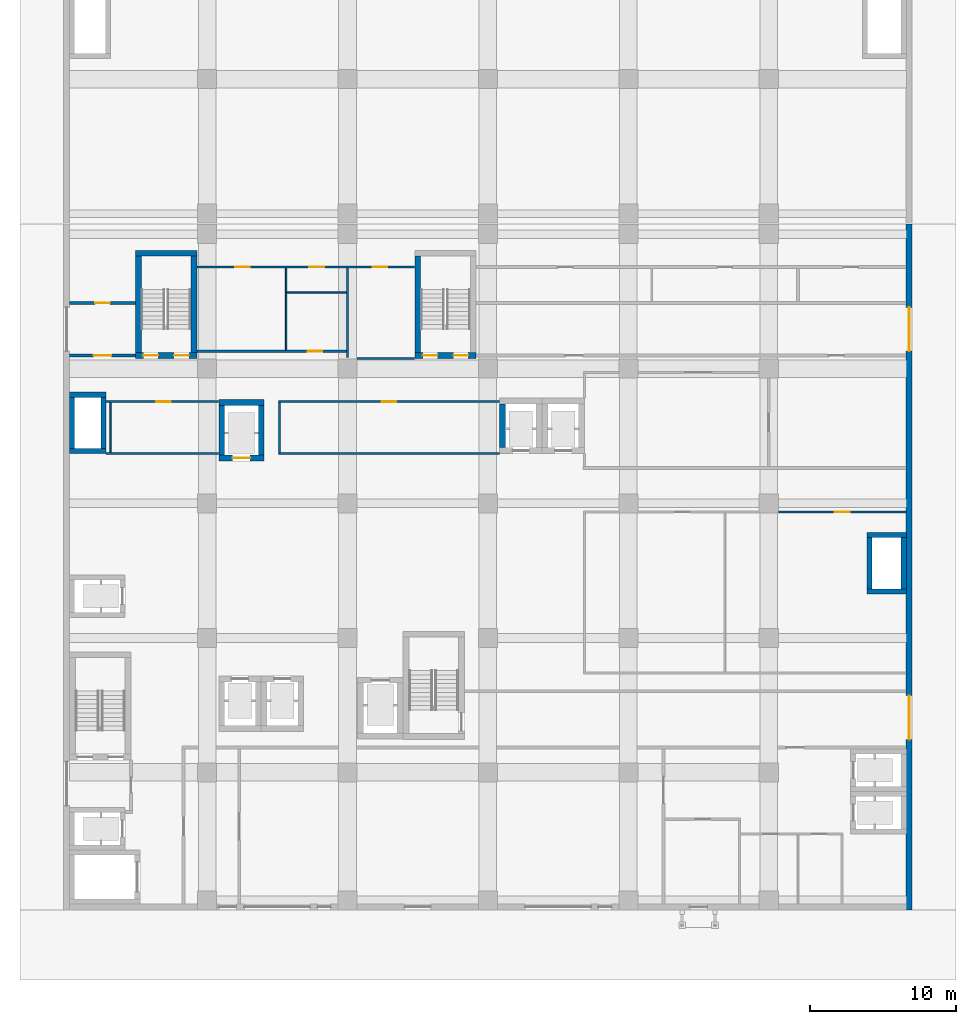
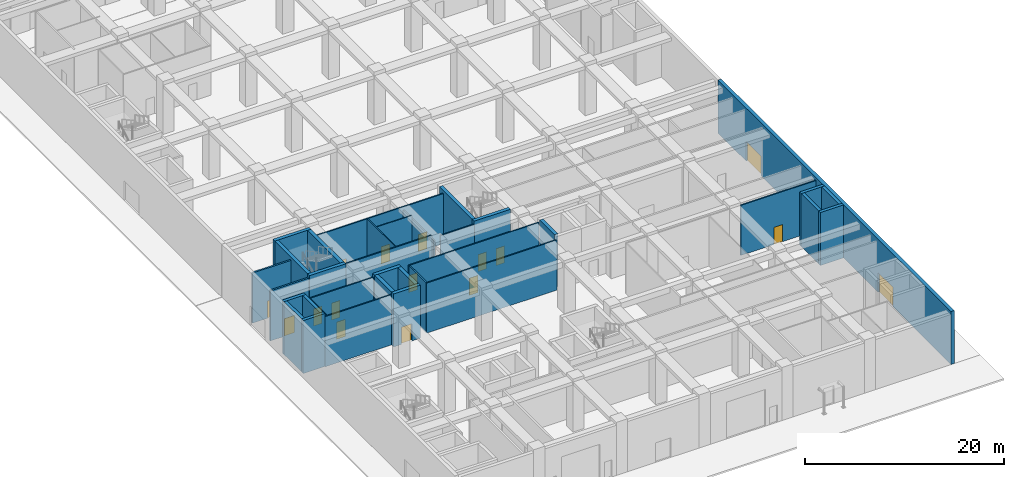
# One storey, part 18 of 45: 35 walls, 16 doors, 16 openings.
"""IFC4 building model written with IfcOpenShell, lengths in metres."""

from ifc_helpers import new_model, si_unit, direction, frame, frame_2d, origin, place, context, subcontext, project, spatial, rectangle, extrude, material, layer, layer_set, type_object, element, fill, save


model = new_model("IFC4")

# Units and contexts
model_context = context("Model", 3, precision=1e-05, world=origin(), true_north=direction((0.0, 1.0)))
body_context = subcontext(model_context, "Body", "Model", "MODEL_VIEW")
ifc_project = project(units=[si_unit("LENGTHUNIT", "METRE"), si_unit("AREAUNIT", "SQUARE_METRE"), si_unit("VOLUMEUNIT", "CUBIC_METRE"), si_unit("PLANEANGLEUNIT", "RADIAN"), si_unit("MASSUNIT", "GRAM", prefix="KILO")], contexts=[model_context])

# Site, building, storey
site_placement = place(None, origin())
site = spatial("IfcSite", under=ifc_project, at=site_placement, CompositionType="ELEMENT")
building_placement = place(site_placement, origin())
building = spatial("IfcBuilding", under=site, at=building_placement, Name="Nzadi Deep Aquarium and Research Tower", CompositionType="ELEMENT")
storey_placement = place(building_placement, origin())
storey = spatial("IfcBuildingStorey", under=building, at=storey_placement, Name="G", CompositionType="ELEMENT", Elevation=0.0)

# Walls
ifc_material_1 = material(Name="Blockwork masonry", Category="masonry")
ifc_layer_1 = layer(ifc_material_1, 0.10009765625)
ifc_layer_set_1 = layer_set([ifc_layer_1], Name="Blockwork masonry")
wall_type_1 = type_object("IfcWallType", Name="Partition 100 EI 30", PredefinedType="PARTITIONING", material=ifc_layer_set_1)
wall_1_placement = place(storey_placement, frame((3.0, 31.074951171875, 0.0), z_axis=(0.0, 0.0, 1.0), x_axis=(0.0, 1.0, 0.0)))
element("IfcWall", 1, at=wall_1_placement, inside=storey, type_object=wall_type_1, Name="W-Z1-G-P005", PredefinedType="PARTITIONING", context=body_context, shape_type="SweptSolid", body=[
    extrude(rectangle(XDim=3.400146484375, YDim=0.10009765625, at=frame_2d((1.7001953125, 0.0))), origin(), (0.0, 0.0, 1.0), 6.14990234375),
])
wall_2_placement = place(storey_placement, frame((15.0, 38.074951171875, 0.0), z_axis=(0.0, 0.0, 1.0), x_axis=(0.0, 1.0, 0.0)))
element("IfcWall", 2, at=wall_2_placement, inside=storey, type_object=wall_type_1, Name="W-Z1-G-P016", PredefinedType="PARTITIONING", context=body_context, shape_type="SweptSolid", body=[
    extrude(rectangle(XDim=5.60009765625, YDim=0.10009765625, at=frame_2d((2.800048828125, 0.0))), origin(), (0.0, 0.0, 1.0), 6.14990234375),
])
wall_3_placement = place(storey_placement, frame((15.050048828125, 42.0, 0.0), z_axis=(0.0, 0.0, 1.0), x_axis=(1.0, 0.0, 0.0)))
element("IfcWall", 3, at=wall_3_placement, inside=storey, type_object=wall_type_1, Name="W-Z1-G-P017", PredefinedType="PARTITIONING", context=body_context, shape_type="SweptSolid", body=[
    extrude(rectangle(XDim=4.074951171875, YDim=0.10009765625, at=frame_2d((2.03759765625, 0.0))), origin(), (0.0, 0.0, 1.0), 6.14990234375),
])
ifc_material_2 = material(Name="Blockwork masonry", Category="masonry")
ifc_layer_2 = layer(ifc_material_2, 0.14990234375)
ifc_layer_set_2 = layer_set([ifc_layer_2], Name="Blockwork masonry")
wall_type_2 = type_object("IfcWallType", Name="Partition 150 EI 60", PredefinedType="PARTITIONING", material=ifc_layer_set_2)
wall_4_placement = place(storey_placement, frame((2.7060546875, 31.0, 0.0), z_axis=(0.0, 0.0, 1.0), x_axis=(1.0, 0.0, 0.0)))
element("IfcWall", 4, at=wall_4_placement, inside=storey, type_object=wall_type_2, Name="W-Z1-G-P003", PredefinedType="PARTITIONING", context=body_context, shape_type="SweptSolid", body=[
    extrude(rectangle(XDim=7.68798828125, YDim=0.14990234375, at=frame_2d((3.843994140625, 0.0))), origin(), (0.0, 0.0, 1.0), 6.14990234375),
])

# Wall, opening, door
wall_5_placement = place(storey_placement, frame((2.7060546875, 34.550048828125, 0.0), z_axis=(0.0, 0.0, 1.0), x_axis=(1.0, 0.0, 0.0)))
wall_5 = element("IfcWall", 5, at=wall_5_placement, inside=storey, type_object=wall_type_2, Name="W-Z1-G-P004", PredefinedType="PARTITIONING", context=body_context, shape_type="SweptSolid", body=[
    extrude(rectangle(XDim=7.68798828125, YDim=0.14990234375, at=frame_2d((3.843994140625, 0.0))), origin(), (0.0, 0.0, 1.0), 6.14990234375),
])
opening_1_placement = place(wall_5_placement, frame((3.4189453125, 0.0, 0.0)))
opening_1 = element("IfcOpeningElement", 6, at=opening_1_placement, cuts=wall_5, Name="Opening D011011", PredefinedType="OPENING", context=body_context, shape_type="SweptSolid", body=[
    extrude(rectangle(XDim=1.0, YDim=2.10009765625, at=frame_2d((0.5, 1.050048828125))), frame((0.0, 0.0849609375, 0.0), z_axis=(0.0, -1.0, 0.0), x_axis=(1.0, 0.0, 0.0)), (0.0, 0.0, 1.0), 0.169921875),
])
ifc_material_3 = material(Name="Fire-rated steel door", Category="steel")
ifc_layer_3 = layer(ifc_material_3, 0.050048828125)
ifc_layer_set_3 = layer_set([ifc_layer_3], Name="Fire-rated steel door")
door_type_1 = type_object("IfcDoorType", Name="Door 1000x2100 EI 60 single", OperationType="SINGLE_SWING_LEFT", PredefinedType="DOOR", material=ifc_layer_set_3)
door_1_placement = place(opening_1_placement, origin())
door_1 = element("IfcDoor", 7, at=door_1_placement, inside=storey, type_object=door_type_1, Name="D011011", OperationType="SINGLE_SWING_LEFT", OverallHeight=2.10009765625, OverallWidth=1.0, PredefinedType="DOOR", context=body_context, shape_type="SweptSolid", body=[
    extrude(rectangle(XDim=1.0, YDim=2.10009765625, at=frame_2d((0.5, 1.050048828125))), frame((0.0, 0.02490234375, 0.0), z_axis=(0.0, -1.0, 0.0), x_axis=(1.0, 0.0, 0.0)), (0.0, 0.0, 1.0), 0.050048828125),
])
fill(opening_1, door_1)

wall_6_placement = place(storey_placement, frame((8.906005859375, 38.0, 0.0), z_axis=(0.0, 0.0, 1.0), x_axis=(1.0, 0.0, 0.0)))
wall_6 = element("IfcWall", 8, at=wall_6_placement, inside=storey, type_object=wall_type_2, Name="W-Z1-G-P010", PredefinedType="PARTITIONING", context=body_context, shape_type="SweptSolid", body=[
    extrude(rectangle(XDim=10.218994140625, YDim=0.14990234375, at=frame_2d((5.109375, 0.0))), origin(), (0.0, 0.0, 1.0), 6.14990234375),
])
opening_2_placement = place(wall_6_placement, frame((7.583984375, 0.0, 0.0)))
opening_2 = element("IfcOpeningElement", 9, at=opening_2_placement, cuts=wall_6, Name="Opening D011008", PredefinedType="OPENING", context=body_context, shape_type="SweptSolid", body=[
    extrude(rectangle(XDim=1.0, YDim=2.10009765625, at=frame_2d((0.5, 1.050048828125))), frame((0.0, 0.0849609375, 0.0), z_axis=(0.0, -1.0, 0.0), x_axis=(1.0, 0.0, 0.0)), (0.0, 0.0, 1.0), 0.169921875),
])
door_2_placement = place(opening_2_placement, origin())
door_2 = element("IfcDoor", 10, at=door_2_placement, inside=storey, type_object=door_type_1, Name="D011008", OperationType="SINGLE_SWING_RIGHT", OverallHeight=2.10009765625, OverallWidth=1.0, PredefinedType="DOOR", context=body_context, shape_type="SweptSolid", body=[
    extrude(rectangle(XDim=1.0, YDim=2.10009765625, at=frame_2d((0.5, 1.050048828125))), frame((0.0, 0.02490234375, 0.0), z_axis=(0.0, -1.0, 0.0), x_axis=(1.0, 0.0, 0.0)), (0.0, 0.0, 1.0), 0.050048828125),
])
fill(opening_2, door_2)

# Wall, openings, doors
wall_7_placement = place(storey_placement, frame((8.906005859375, 43.75, 0.0), z_axis=(0.0, 0.0, 1.0), x_axis=(1.0, 0.0, 0.0)))
wall_7 = element("IfcWall", 11, at=wall_7_placement, inside=storey, type_object=wall_type_2, Name="W-Z1-G-P011", PredefinedType="PARTITIONING", context=body_context, shape_type="SweptSolid", body=[
    extrude(rectangle(XDim=14.887939453125, YDim=0.14990234375, at=frame_2d((7.44384765625, 0.0))), origin(), (0.0, 0.0, 1.0), 6.14990234375),
])
opening_3_placement = place(wall_7_placement, frame((2.6201171875, 0.0, 0.0)))
opening_3 = element("IfcOpeningElement", 12, at=opening_3_placement, cuts=wall_7, Name="Opening D011007", PredefinedType="OPENING", context=body_context, shape_type="SweptSolid", body=[
    extrude(rectangle(XDim=1.0, YDim=2.10009765625, at=frame_2d((0.5, 1.050048828125))), frame((0.0, 0.0849609375, 0.0), z_axis=(0.0, -1.0, 0.0), x_axis=(1.0, 0.0, 0.0)), (0.0, 0.0, 1.0), 0.169921875),
])
opening_4_placement = place(wall_7_placement, frame((12.01904296875, 0.0, 0.0)))
opening_4 = element("IfcOpeningElement", 13, at=opening_4_placement, cuts=wall_7, Name="Opening D011009", PredefinedType="OPENING", context=body_context, shape_type="SweptSolid", body=[
    extrude(rectangle(XDim=1.0, YDim=2.10009765625, at=frame_2d((0.5, 1.050048828125))), frame((0.0, 0.0849609375, 0.0), z_axis=(0.0, -1.0, 0.0), x_axis=(1.0, 0.0, 0.0)), (0.0, 0.0, 1.0), 0.169921875),
])
opening_5_placement = place(wall_7_placement, frame((7.694091796875, 0.0, 0.0)))
opening_5 = element("IfcOpeningElement", 14, at=opening_5_placement, cuts=wall_7, Name="Opening D011017", PredefinedType="OPENING", context=body_context, shape_type="SweptSolid", body=[
    extrude(rectangle(XDim=1.0, YDim=2.10009765625, at=frame_2d((0.5, 1.050048828125))), frame((0.0, 0.0849609375, 0.0), z_axis=(0.0, -1.0, 0.0), x_axis=(1.0, 0.0, 0.0)), (0.0, 0.0, 1.0), 0.169921875),
])
door_3_placement = place(opening_3_placement, origin())
door_3 = element("IfcDoor", 15, at=door_3_placement, inside=storey, type_object=door_type_1, Name="D011007", OperationType="SINGLE_SWING_RIGHT", OverallHeight=2.10009765625, OverallWidth=1.0, PredefinedType="DOOR", context=body_context, shape_type="SweptSolid", body=[
    extrude(rectangle(XDim=1.0, YDim=2.10009765625, at=frame_2d((0.5, 1.050048828125))), frame((0.0, 0.02490234375, 0.0), z_axis=(0.0, -1.0, 0.0), x_axis=(1.0, 0.0, 0.0)), (0.0, 0.0, 1.0), 0.050048828125),
])
fill(opening_3, door_3)
door_4_placement = place(opening_4_placement, origin())
door_4 = element("IfcDoor", 16, at=door_4_placement, inside=storey, type_object=door_type_1, Name="D011009", OperationType="SINGLE_SWING_LEFT", OverallHeight=2.10009765625, OverallWidth=1.0, PredefinedType="DOOR", context=body_context, shape_type="SweptSolid", body=[
    extrude(rectangle(XDim=1.0, YDim=2.10009765625, at=frame_2d((0.5, 1.050048828125))), frame((0.0, 0.02490234375, 0.0), z_axis=(0.0, -1.0, 0.0), x_axis=(1.0, 0.0, 0.0)), (0.0, 0.0, 1.0), 0.050048828125),
])
fill(opening_4, door_4)
door_5_placement = place(opening_5_placement, origin())
door_5 = element("IfcDoor", 17, at=door_5_placement, inside=storey, type_object=door_type_1, Name="D011017", OperationType="SINGLE_SWING_LEFT", OverallHeight=2.10009765625, OverallWidth=1.0, PredefinedType="DOOR", context=body_context, shape_type="SweptSolid", body=[
    extrude(rectangle(XDim=1.0, YDim=2.10009765625, at=frame_2d((0.5, 1.050048828125))), frame((0.0, 0.02490234375, 0.0), z_axis=(0.0, -1.0, 0.0), x_axis=(1.0, 0.0, 0.0)), (0.0, 0.0, 1.0), 0.050048828125),
])
fill(opening_5, door_5)

# Walls
wall_8_placement = place(storey_placement, frame((14.47509765625, 31.0, 0.0), z_axis=(0.0, 0.0, 1.0), x_axis=(1.0, 0.0, 0.0)))
element("IfcWall", 18, at=wall_8_placement, inside=storey, type_object=wall_type_2, Name="W-Z1-G-P013", PredefinedType="PARTITIONING", context=body_context, shape_type="SweptSolid", body=[
    extrude(rectangle(XDim=15.118896484375, YDim=0.14990234375, at=frame_2d((7.5595703125, 0.0))), origin(), (0.0, 0.0, 1.0), 6.14990234375),
])
wall_9_placement = place(storey_placement, frame((14.550048828125, 31.074951171875, 0.0), z_axis=(0.0, 0.0, 1.0), x_axis=(0.0, 1.0, 0.0)))
element("IfcWall", 19, at=wall_9_placement, inside=storey, type_object=wall_type_2, Name="W-Z1-G-P014", PredefinedType="PARTITIONING", context=body_context, shape_type="SweptSolid", body=[
    extrude(rectangle(XDim=3.400146484375, YDim=0.14990234375, at=frame_2d((1.7001953125, 0.0))), origin(), (0.0, 0.0, 1.0), 6.14990234375),
])

# Wall, opening, door
wall_10_placement = place(storey_placement, frame((14.47509765625, 34.550048828125, 0.0), z_axis=(0.0, 0.0, 1.0), x_axis=(1.0, 0.0, 0.0)))
wall_10 = element("IfcWall", 20, at=wall_10_placement, inside=storey, type_object=wall_type_2, Name="W-Z1-G-P015", PredefinedType="PARTITIONING", context=body_context, shape_type="SweptSolid", body=[
    extrude(rectangle(XDim=15.118896484375, YDim=0.14990234375, at=frame_2d((7.5595703125, 0.0))), origin(), (0.0, 0.0, 1.0), 6.14990234375),
])
opening_6_placement = place(wall_10_placement, frame((7.06005859375, 0.0, 0.0)))
opening_6 = element("IfcOpeningElement", 21, at=opening_6_placement, cuts=wall_10, Name="Opening D011010", PredefinedType="OPENING", context=body_context, shape_type="SweptSolid", body=[
    extrude(rectangle(XDim=1.0, YDim=2.10009765625, at=frame_2d((0.5, 1.050048828125))), frame((0.0, 0.0849609375, 0.0), z_axis=(0.0, -1.0, 0.0), x_axis=(1.0, 0.0, 0.0)), (0.0, 0.0, 1.0), 0.169921875),
])
door_6_placement = place(opening_6_placement, origin())
door_6 = element("IfcDoor", 22, at=door_6_placement, inside=storey, type_object=door_type_1, Name="D011010", OperationType="SINGLE_SWING_LEFT", OverallHeight=2.10009765625, OverallWidth=1.0, PredefinedType="DOOR", context=body_context, shape_type="SweptSolid", body=[
    extrude(rectangle(XDim=1.0, YDim=2.10009765625, at=frame_2d((0.5, 1.050048828125))), frame((0.0, 0.02490234375, 0.0), z_axis=(0.0, -1.0, 0.0), x_axis=(1.0, 0.0, 0.0)), (0.0, 0.0, 1.0), 0.050048828125),
])
fill(opening_6, door_6)

# Wall
wall_11_placement = place(storey_placement, frame((19.85009765625, 37.5, 0.0), z_axis=(0.0, 0.0, 1.0), x_axis=(1.0, 0.0, 0.0)))
element("IfcWall", 23, at=wall_11_placement, inside=storey, type_object=wall_type_2, Name="W-Z1-G-P019", PredefinedType="PARTITIONING", context=body_context, shape_type="SweptSolid", body=[
    extrude(rectangle(XDim=3.94384765625, YDim=0.14990234375, at=frame_2d((1.971923828125, 0.0))), origin(), (0.0, 0.0, 1.0), 6.14990234375),
])

# Wall, opening, door
wall_12_placement = place(storey_placement, frame((48.64990234375, 27.0, 0.0), z_axis=(0.0, 0.0, 1.0), x_axis=(1.0, 0.0, 0.0)))
wall_12 = element("IfcWall", 24, at=wall_12_placement, inside=storey, type_object=wall_type_2, Name="W-Z1-G-P040", PredefinedType="PARTITIONING", context=body_context, shape_type="SweptSolid", body=[
    extrude(rectangle(XDim=8.744140625, YDim=0.14990234375, at=frame_2d((4.3720703125, 0.0))), origin(), (0.0, 0.0, 1.0), 6.14990234375),
])
opening_7_placement = place(wall_12_placement, frame((3.8720703125, 0.0, 0.0)))
opening_7 = element("IfcOpeningElement", 25, at=opening_7_placement, cuts=wall_12, Name="Opening D011013", PredefinedType="OPENING", context=body_context, shape_type="SweptSolid", body=[
    extrude(rectangle(XDim=1.0, YDim=2.10009765625, at=frame_2d((0.5, 1.050048828125))), frame((0.0, 0.0849609375, 0.0), z_axis=(0.0, -1.0, 0.0), x_axis=(1.0, 0.0, 0.0)), (0.0, 0.0, 1.0), 0.169921875),
])
door_7_placement = place(opening_7_placement, origin())
door_7 = element("IfcDoor", 26, at=door_7_placement, inside=storey, type_object=door_type_1, Name="D011013", OperationType="SINGLE_SWING_LEFT", OverallHeight=2.10009765625, OverallWidth=1.0, PredefinedType="DOOR", context=body_context, shape_type="SweptSolid", body=[
    extrude(rectangle(XDim=1.0, YDim=2.10009765625, at=frame_2d((0.5, 1.050048828125))), frame((0.0, 0.02490234375, 0.0), z_axis=(0.0, -1.0, 0.0), x_axis=(1.0, 0.0, 0.0)), (0.0, 0.0, 1.0), 0.050048828125),
])
fill(opening_7, door_7)

# Wall
ifc_material_4 = material(Name="Blockwork masonry", Category="masonry")
ifc_layer_4 = layer(ifc_material_4, 0.14990234375)
ifc_layer_set_4 = layer_set([ifc_layer_4], Name="Blockwork masonry")
wall_type_3 = type_object("IfcWallType", Name="Partition 150 EI 60, 5.75 m high", PredefinedType="PARTITIONING", material=ifc_layer_set_4)
wall_13_placement = place(storey_placement, frame((19.199951171875, 37.574951171875, 0.0), z_axis=(0.0, 0.0, 1.0), x_axis=(0.0, 1.0, 0.0)))
element("IfcWall", 27, at=wall_13_placement, inside=storey, type_object=wall_type_3, Name="W-Z1-G-P018", PredefinedType="PARTITIONING", context=body_context, shape_type="SweptSolid", body=[
    extrude(rectangle(XDim=6.10009765625, YDim=0.14990234375, at=frame_2d((3.050048828125, 0.0))), origin(), (0.0, 0.0, 1.0), 5.75),
])

# Wall, opening, door
ifc_material_5 = material(Name="Blockwork masonry", Category="masonry")
ifc_layer_5 = layer(ifc_material_5, 0.199951171875)
ifc_layer_set_5 = layer_set([ifc_layer_5], Name="Blockwork masonry")
wall_type_4 = type_object("IfcWallType", Name="Partition 200 EI 120", PredefinedType="PARTITIONING", material=ifc_layer_set_5)
wall_14_placement = place(storey_placement, frame((0.2060546875, 37.699951171875, 0.0), z_axis=(0.0, 0.0, 1.0), x_axis=(1.0, 0.0, 0.0)))
wall_14 = element("IfcWall", 28, at=wall_14_placement, inside=storey, type_object=wall_type_4, Name="W-Z1-G-P001", PredefinedType="PARTITIONING", context=body_context, shape_type="SweptSolid", body=[
    extrude(rectangle(XDim=4.488037109375, YDim=0.199951171875, at=frame_2d((2.244140625, 0.0))), origin(), (0.0, 0.0, 1.0), 6.14990234375),
])
opening_8_placement = place(wall_14_placement, frame((1.64404296875, 0.0, 0.0)))
opening_8 = element("IfcOpeningElement", 29, at=opening_8_placement, cuts=wall_14, Name="Opening D011022", PredefinedType="OPENING", context=body_context, shape_type="SweptSolid", body=[
    extrude(rectangle(XDim=1.199951171875, YDim=2.10009765625, at=frame_2d((0.60009765625, 1.050048828125))), frame((0.0, 0.110107421875, 0.0), z_axis=(0.0, -1.0, 0.0), x_axis=(1.0, 0.0, 0.0)), (0.0, 0.0, 1.0), 0.22021484375),
])
ifc_material_6 = material(Name="Fire-rated steel door", Category="steel")
ifc_layer_6 = layer(ifc_material_6, 0.050048828125)
ifc_layer_set_6 = layer_set([ifc_layer_6], Name="Fire-rated steel door")
door_type_2 = type_object("IfcDoorType", Name="Door 1200x2100 EI 120 single", OperationType="SINGLE_SWING_LEFT", PredefinedType="DOOR", material=ifc_layer_set_6)
door_8_placement = place(opening_8_placement, origin())
door_8 = element("IfcDoor", 30, at=door_8_placement, inside=storey, type_object=door_type_2, Name="D011022", OperationType="SINGLE_SWING_RIGHT", OverallHeight=2.10009765625, OverallWidth=1.199951171875, PredefinedType="DOOR", context=body_context, shape_type="SweptSolid", body=[
    extrude(rectangle(XDim=1.199951171875, YDim=2.10009765625, at=frame_2d((0.60009765625, 1.050048828125))), frame((0.0, 0.02490234375, 0.0), z_axis=(0.0, -1.0, 0.0), x_axis=(1.0, 0.0, 0.0)), (0.0, 0.0, 1.0), 0.050048828125),
])
fill(opening_8, door_8)

wall_15_placement = place(storey_placement, frame((0.2060546875, 41.300048828125, 0.0), z_axis=(0.0, 0.0, 1.0), x_axis=(1.0, 0.0, 0.0)))
wall_15 = element("IfcWall", 31, at=wall_15_placement, inside=storey, type_object=wall_type_4, Name="W-Z1-G-P002", PredefinedType="PARTITIONING", context=body_context, shape_type="SweptSolid", body=[
    extrude(rectangle(XDim=4.488037109375, YDim=0.199951171875, at=frame_2d((2.244140625, 0.0))), origin(), (0.0, 0.0, 1.0), 6.14990234375),
])
opening_9_placement = place(wall_15_placement, frame((1.743896484375, 0.0, 0.0)))
opening_9 = element("IfcOpeningElement", 32, at=opening_9_placement, cuts=wall_15, Name="Opening D011024", PredefinedType="OPENING", context=body_context, shape_type="SweptSolid", body=[
    extrude(rectangle(XDim=1.0, YDim=2.10009765625, at=frame_2d((0.5, 1.050048828125))), frame((0.0, 0.110107421875, 0.0), z_axis=(0.0, -1.0, 0.0), x_axis=(1.0, 0.0, 0.0)), (0.0, 0.0, 1.0), 0.22021484375),
])
ifc_material_7 = material(Name="Fire-rated steel door", Category="steel")
ifc_layer_7 = layer(ifc_material_7, 0.050048828125)
ifc_layer_set_7 = layer_set([ifc_layer_7], Name="Fire-rated steel door")
door_type_3 = type_object("IfcDoorType", Name="Door 1000x2100 EI 120 single", OperationType="SINGLE_SWING_LEFT", PredefinedType="DOOR", material=ifc_layer_set_7)
door_9_placement = place(opening_9_placement, origin())
door_9 = element("IfcDoor", 33, at=door_9_placement, inside=storey, type_object=door_type_3, Name="D011024", OperationType="SINGLE_SWING_RIGHT", OverallHeight=2.10009765625, OverallWidth=1.0, PredefinedType="DOOR", context=body_context, shape_type="SweptSolid", body=[
    extrude(rectangle(XDim=1.0, YDim=2.10009765625, at=frame_2d((0.5, 1.050048828125))), frame((0.0, 0.02490234375, 0.0), z_axis=(0.0, -1.0, 0.0), x_axis=(1.0, 0.0, 0.0)), (0.0, 0.0, 1.0), 0.050048828125),
])
fill(opening_9, door_9)

# Walls
ifc_material_8 = material(Name="Concrete C35/45", Category="concrete")
ifc_layer_8 = layer(ifc_material_8, 0.35009765625)
ifc_layer_set_8 = layer_set([ifc_layer_8], Name="Concrete C35/45")
wall_type_5 = type_object("IfcWallType", Name="RC core wall 350, 5.50 to 6.50 m high", PredefinedType="SHEAR", material=ifc_layer_set_8)
for number, where, z_axis, x_axis, name in (
    (34, (0.199951171875, 31.175048828125, 0.0), (0.0, 0.0, 1.0), (1.0, 0.0, 0.0), "W-CORE-RS-Z1-W-G-S"),
    (35, (0.199951171875, 35.02490234375, 0.0), (0.0, 0.0, 1.0), (1.0, 0.0, 0.0), "W-CORE-RS-Z1-W-G-N"),
):
    element("IfcWall", number, at=place(storey_placement, frame(where, z_axis=z_axis, x_axis=x_axis)), inside=storey, type_object=wall_type_5, Name=name, PredefinedType="SHEAR", context=body_context, shape_type="SweptSolid", body=[
        extrude(rectangle(XDim=2.5, YDim=0.35009765625, at=frame_2d((1.25, 0.0))), origin(), (0.0, 0.0, 1.0), 6.5),
    ])
for number, where, z_axis, x_axis, name in (
    (36, (0.375, 31.35009765625, 0.0), (0.0, 0.0, 1.0), (0.0, 1.0, 0.0), "W-CORE-RS-Z1-W-G-W"),
    (37, (2.52490234375, 31.35009765625, 0.0), (0.0, 0.0, 1.0), (0.0, 1.0, 0.0), "W-CORE-RS-Z1-W-G-E"),
):
    element("IfcWall", number, at=place(storey_placement, frame(where, z_axis=z_axis, x_axis=x_axis)), inside=storey, type_object=wall_type_5, Name=name, PredefinedType="SHEAR", context=body_context, shape_type="SweptSolid", body=[
        extrude(rectangle(XDim=3.5, YDim=0.35009765625, at=frame_2d((1.75, 0.0))), origin(), (0.0, 0.0, 1.0), 6.5),
    ])
for number, where, z_axis, x_axis, name in (
    (38, (54.699951171875, 21.574951171875, 0.0), (0.0, 0.0, 1.0), (1.0, 0.0, 0.0), "W-CORE-RS-Z1-E-G-S"),
    (39, (54.699951171875, 25.425048828125, 0.0), (0.0, 0.0, 1.0), (1.0, 0.0, 0.0), "W-CORE-RS-Z1-E-G-N"),
):
    element("IfcWall", number, at=place(storey_placement, frame(where, z_axis=z_axis, x_axis=x_axis)), inside=storey, type_object=wall_type_5, Name=name, PredefinedType="SHEAR", context=body_context, shape_type="SweptSolid", body=[
        extrude(rectangle(XDim=2.699951171875, YDim=0.35009765625, at=frame_2d((1.35009765625, 0.0))), origin(), (0.0, 0.0, 1.0), 6.5),
    ])
for number, where, z_axis, x_axis, name in (
    (40, (54.875, 21.75, 0.0), (0.0, 0.0, 1.0), (0.0, 1.0, 0.0), "W-CORE-RS-Z1-E-G-W"),
    (41, (57.22509765625, 21.75, 0.0), (0.0, 0.0, 1.0), (0.0, 1.0, 0.0), "W-CORE-RS-Z1-E-G-E"),
):
    element("IfcWall", number, at=place(storey_placement, frame(where, z_axis=z_axis, x_axis=x_axis)), inside=storey, type_object=wall_type_5, Name=name, PredefinedType="SHEAR", context=body_context, shape_type="SweptSolid", body=[
        extrude(rectangle(XDim=3.5, YDim=0.35009765625, at=frame_2d((1.75, 0.0))), origin(), (0.0, 0.0, 1.0), 6.5),
    ])

# Wall, openings, doors
ifc_material_9 = material(Name="Concrete C35/45", Category="concrete")
ifc_layer_9 = layer(ifc_material_9, 0.39990234375)
ifc_layer_set_9 = layer_set([ifc_layer_9], Name="Concrete C35/45")
wall_type_6 = type_object("IfcWallType", Name="RC core wall 400, 5.50 to 6.50 m high", PredefinedType="SHEAR", material=ifc_layer_set_9)
wall_16_placement = place(storey_placement, frame((4.699951171875, 37.699951171875, 0.0), z_axis=(0.0, 0.0, 1.0), x_axis=(1.0, 0.0, 0.0)))
wall_16 = element("IfcWall", 42, at=wall_16_placement, inside=storey, type_object=wall_type_6, Name="W-CORE-ST-Z1-NW-G-S", PredefinedType="SHEAR", context=body_context, shape_type="SweptSolid", body=[
    extrude(rectangle(XDim=4.199951171875, YDim=0.39990234375, at=frame_2d((2.10009765625, 0.0))), origin(), (0.0, 0.0, 1.0), 6.5),
])
opening_10_placement = place(wall_16_placement, frame((0.550048828125, 0.0, 0.0)))
opening_10 = element("IfcOpeningElement", 43, at=opening_10_placement, cuts=wall_16, Name="Opening DS-Z1-NW-GA", PredefinedType="OPENING", context=body_context, shape_type="SweptSolid", body=[
    extrude(rectangle(XDim=1.0, YDim=2.10009765625, at=frame_2d((0.5, 1.050048828125))), frame((0.0, 0.2099609375, 0.0), z_axis=(0.0, -1.0, 0.0), x_axis=(1.0, 0.0, 0.0)), (0.0, 0.0, 1.0), 0.419921875),
])
opening_11_placement = place(wall_16_placement, frame((2.64990234375, 0.0, 0.0)))
opening_11 = element("IfcOpeningElement", 44, at=opening_11_placement, cuts=wall_16, Name="Opening DS-Z1-NW-GB", PredefinedType="OPENING", context=body_context, shape_type="SweptSolid", body=[
    extrude(rectangle(XDim=1.0, YDim=2.10009765625, at=frame_2d((0.5, 1.050048828125))), frame((0.0, 0.2099609375, 0.0), z_axis=(0.0, -1.0, 0.0), x_axis=(1.0, 0.0, 0.0)), (0.0, 0.0, 1.0), 0.419921875),
])
ifc_material_10 = material(Name="Steel, powder coated", Category="steel")
door_type_4 = type_object("IfcDoorType", Name="STAIR DOOR 1000x2100 EI 60", OperationType="SINGLE_SWING_LEFT", PredefinedType="DOOR", material=ifc_material_10)
door_10_placement = place(opening_10_placement, origin())
door_10 = element("IfcDoor", 45, at=door_10_placement, inside=storey, type_object=door_type_4, Name="Stair door ST-Z1-NW G A", OperationType="SINGLE_SWING_LEFT", OverallHeight=2.10009765625, OverallWidth=1.0, PredefinedType="DOOR", context=body_context, shape_type="SweptSolid", body=[
    extrude(rectangle(XDim=1.0, YDim=2.10009765625, at=frame_2d((0.5, 1.050048828125))), frame((0.0, 0.02490234375, 0.0), z_axis=(0.0, -1.0, 0.0), x_axis=(1.0, 0.0, 0.0)), (0.0, 0.0, 1.0), 0.050048828125),
])
fill(opening_10, door_10)
door_11_placement = place(opening_11_placement, origin())
door_11 = element("IfcDoor", 46, at=door_11_placement, inside=storey, type_object=door_type_4, Name="Stair door ST-Z1-NW G B", OperationType="SINGLE_SWING_RIGHT", OverallHeight=2.10009765625, OverallWidth=1.0, PredefinedType="DOOR", context=body_context, shape_type="SweptSolid", body=[
    extrude(rectangle(XDim=1.0, YDim=2.10009765625, at=frame_2d((0.5, 1.050048828125))), frame((0.0, 0.02490234375, 0.0), z_axis=(0.0, -1.0, 0.0), x_axis=(1.0, 0.0, 0.0)), (0.0, 0.0, 1.0), 0.050048828125),
])
fill(opening_11, door_11)

# Walls
wall_17_placement = place(storey_placement, frame((4.699951171875, 44.699951171875, 0.0), z_axis=(0.0, 0.0, 1.0), x_axis=(1.0, 0.0, 0.0)))
element("IfcWall", 47, at=wall_17_placement, inside=storey, type_object=wall_type_6, Name="W-CORE-ST-Z1-NW-G-N", PredefinedType="SHEAR", context=body_context, shape_type="SweptSolid", body=[
    extrude(rectangle(XDim=4.199951171875, YDim=0.39990234375, at=frame_2d((2.10009765625, 0.0))), origin(), (0.0, 0.0, 1.0), 6.5),
])
for number, where, z_axis, x_axis, name in (
    (48, (4.89990234375, 37.89990234375, 0.0), (0.0, 0.0, 1.0), (0.0, 1.0, 0.0), "W-CORE-ST-Z1-NW-G-W"),
    (49, (8.699951171875, 37.89990234375, 0.0), (0.0, 0.0, 1.0), (0.0, 1.0, 0.0), "W-CORE-ST-Z1-NW-G-E"),
):
    element("IfcWall", number, at=place(storey_placement, frame(where, z_axis=z_axis, x_axis=x_axis)), inside=storey, type_object=wall_type_6, Name=name, PredefinedType="SHEAR", context=body_context, shape_type="SweptSolid", body=[
        extrude(rectangle(XDim=6.60009765625, YDim=0.39990234375, at=frame_2d((3.300048828125, 0.0))), origin(), (0.0, 0.0, 1.0), 6.5),
    ])

# Wall, openings, doors
wall_18_placement = place(storey_placement, frame((23.800048828125, 37.699951171875, 0.0), z_axis=(0.0, 0.0, 1.0), x_axis=(1.0, 0.0, 0.0)))
wall_18 = element("IfcWall", 50, at=wall_18_placement, inside=storey, type_object=wall_type_6, Name="W-CORE-ST-Z1-NE-G-S", PredefinedType="SHEAR", context=body_context, shape_type="SweptSolid", body=[
    extrude(rectangle(XDim=4.199951171875, YDim=0.39990234375, at=frame_2d((2.10009765625, 0.0))), origin(), (0.0, 0.0, 1.0), 6.5),
])
opening_12_placement = place(wall_18_placement, frame((0.550048828125, 0.0, 0.0)))
opening_12 = element("IfcOpeningElement", 51, at=opening_12_placement, cuts=wall_18, Name="Opening DS-Z1-NE-GA", PredefinedType="OPENING", context=body_context, shape_type="SweptSolid", body=[
    extrude(rectangle(XDim=1.0, YDim=2.10009765625, at=frame_2d((0.5, 1.050048828125))), frame((0.0, 0.2099609375, 0.0), z_axis=(0.0, -1.0, 0.0), x_axis=(1.0, 0.0, 0.0)), (0.0, 0.0, 1.0), 0.419921875),
])
opening_13_placement = place(wall_18_placement, frame((2.64990234375, 0.0, 0.0)))
opening_13 = element("IfcOpeningElement", 52, at=opening_13_placement, cuts=wall_18, Name="Opening DS-Z1-NE-GB", PredefinedType="OPENING", context=body_context, shape_type="SweptSolid", body=[
    extrude(rectangle(XDim=1.0, YDim=2.10009765625, at=frame_2d((0.5, 1.050048828125))), frame((0.0, 0.2099609375, 0.0), z_axis=(0.0, -1.0, 0.0), x_axis=(1.0, 0.0, 0.0)), (0.0, 0.0, 1.0), 0.419921875),
])
door_12_placement = place(opening_12_placement, origin())
door_12 = element("IfcDoor", 53, at=door_12_placement, inside=storey, type_object=door_type_4, Name="Stair door ST-Z1-NE G A", OperationType="SINGLE_SWING_LEFT", OverallHeight=2.10009765625, OverallWidth=1.0, PredefinedType="DOOR", context=body_context, shape_type="SweptSolid", body=[
    extrude(rectangle(XDim=1.0, YDim=2.10009765625, at=frame_2d((0.5, 1.050048828125))), frame((0.0, 0.02490234375, 0.0), z_axis=(0.0, -1.0, 0.0), x_axis=(1.0, 0.0, 0.0)), (0.0, 0.0, 1.0), 0.050048828125),
])
fill(opening_12, door_12)
door_13_placement = place(opening_13_placement, origin())
door_13 = element("IfcDoor", 54, at=door_13_placement, inside=storey, type_object=door_type_4, Name="Stair door ST-Z1-NE G B", OperationType="SINGLE_SWING_RIGHT", OverallHeight=2.10009765625, OverallWidth=1.0, PredefinedType="DOOR", context=body_context, shape_type="SweptSolid", body=[
    extrude(rectangle(XDim=1.0, YDim=2.10009765625, at=frame_2d((0.5, 1.050048828125))), frame((0.0, 0.02490234375, 0.0), z_axis=(0.0, -1.0, 0.0), x_axis=(1.0, 0.0, 0.0)), (0.0, 0.0, 1.0), 0.050048828125),
])
fill(opening_13, door_13)

# Wall
wall_19_placement = place(storey_placement, frame((24.0, 37.89990234375, 0.0), z_axis=(0.0, 0.0, 1.0), x_axis=(0.0, 1.0, 0.0)))
element("IfcWall", 55, at=wall_19_placement, inside=storey, type_object=wall_type_6, Name="W-CORE-ST-Z1-NE-G-W", PredefinedType="SHEAR", context=body_context, shape_type="SweptSolid", body=[
    extrude(rectangle(XDim=6.60009765625, YDim=0.39990234375, at=frame_2d((3.300048828125, 0.0))), origin(), (0.0, 0.0, 1.0), 6.5),
])

# Wall, opening, door
wall_20_placement = place(storey_placement, frame((10.39990234375, 30.699951171875, 0.0), z_axis=(0.0, 0.0, 1.0), x_axis=(1.0, 0.0, 0.0)))
wall_20 = element("IfcWall", 56, at=wall_20_placement, inside=storey, type_object=wall_type_6, Name="W-CORE-FL2-G-S", PredefinedType="SHEAR", context=body_context, shape_type="SweptSolid", body=[
    extrude(rectangle(XDim=3.10009765625, YDim=0.39990234375, at=frame_2d((1.550048828125, 0.0))), origin(), (0.0, 0.0, 1.0), 6.5),
])
opening_14_placement = place(wall_20_placement, frame((0.949951171875, 0.0, 0.0)))
opening_14 = element("IfcOpeningElement", 57, at=opening_14_placement, cuts=wall_20, Name="Opening LD-FL2-G", PredefinedType="OPENING", context=body_context, shape_type="SweptSolid", body=[
    extrude(rectangle(XDim=1.199951171875, YDim=2.10009765625, at=frame_2d((0.60009765625, 1.050048828125))), frame((0.0, 0.2099609375, 0.0), z_axis=(0.0, -1.0, 0.0), x_axis=(1.0, 0.0, 0.0)), (0.0, 0.0, 1.0), 0.419921875),
])
ifc_material_11 = material(Name="Stainless steel 1.4301", Category="steel")
door_type_5 = type_object("IfcDoorType", Name="LANDING DOOR 1200x2100", OperationType="DOUBLE_DOOR_SLIDING", PredefinedType="DOOR", material=ifc_material_11)
door_14_placement = place(opening_14_placement, origin())
door_14 = element("IfcDoor", 58, at=door_14_placement, inside=storey, type_object=door_type_5, Name="Landing door FL2 G", OperationType="DOUBLE_DOOR_SLIDING", OverallHeight=2.10009765625, OverallWidth=1.199951171875, PredefinedType="DOOR", context=body_context, shape_type="SweptSolid", body=[
    extrude(rectangle(XDim=1.199951171875, YDim=2.10009765625, at=frame_2d((0.60009765625, 1.050048828125))), frame((0.0, 0.02490234375, 0.0), z_axis=(0.0, -1.0, 0.0), x_axis=(1.0, 0.0, 0.0)), (0.0, 0.0, 1.0), 0.050048828125),
])
fill(opening_14, door_14)

# Walls
wall_21_placement = place(storey_placement, frame((10.39990234375, 34.5, 0.0), z_axis=(0.0, 0.0, 1.0), x_axis=(1.0, 0.0, 0.0)))
element("IfcWall", 59, at=wall_21_placement, inside=storey, type_object=wall_type_6, Name="W-CORE-FL2-G-N", PredefinedType="SHEAR", context=body_context, shape_type="SweptSolid", body=[
    extrude(rectangle(XDim=3.10009765625, YDim=0.39990234375, at=frame_2d((1.550048828125, 0.0))), origin(), (0.0, 0.0, 1.0), 6.5),
])
for number, where, z_axis, x_axis, name in (
    (60, (10.60009765625, 30.89990234375, 0.0), (0.0, 0.0, 1.0), (0.0, 1.0, 0.0), "W-CORE-FL2-G-W"),
    (61, (13.300048828125, 30.89990234375, 0.0), (0.0, 0.0, 1.0), (0.0, 1.0, 0.0), "W-CORE-FL2-G-E"),
):
    element("IfcWall", number, at=place(storey_placement, frame(where, z_axis=z_axis, x_axis=x_axis)), inside=storey, type_object=wall_type_6, Name=name, PredefinedType="SHEAR", context=body_context, shape_type="SweptSolid", body=[
        extrude(rectangle(XDim=3.400146484375, YDim=0.39990234375, at=frame_2d((1.7001953125, 0.0))), origin(), (0.0, 0.0, 1.0), 6.5),
    ])
wall_22_placement = place(storey_placement, frame((29.800048828125, 31.39990234375, 0.0), z_axis=(0.0, 0.0, 1.0), x_axis=(0.0, 1.0, 0.0)))
element("IfcWall", 62, at=wall_22_placement, inside=storey, type_object=wall_type_6, Name="W-CORE-TL3-G-W", PredefinedType="SHEAR", context=body_context, shape_type="SweptSolid", body=[
    extrude(rectangle(XDim=3.0, YDim=0.39990234375, at=frame_2d((1.5, 0.0))), origin(), (0.0, 0.0, 1.0), 6.5),
])

# Wall, openings, doors
ifc_material_12 = material(Name="Concrete C35/45", Category="concrete")
ifc_layer_10 = layer(ifc_material_12, 0.39990234375)
ifc_layer_set_10 = layer_set([ifc_layer_10], Name="Concrete C35/45")
wall_type_7 = type_object("IfcWallType", Name="RC party wall 400", PredefinedType="SHEAR", material=ifc_layer_set_10)
wall_23_placement = place(storey_placement, frame((57.599609375, -0.199951171875, 0.0), z_axis=(0.0, 0.0, 1.0), x_axis=(0.0, 1.0, 0.0)))
wall_23 = element("IfcWall", 63, at=wall_23_placement, inside=storey, type_object=wall_type_7, Name="W-PTY-Z1-G-E", PredefinedType="SHEAR", context=body_context, shape_type="SweptSolid", body=[
    extrude(rectangle(XDim=46.8798828125, YDim=0.39990234375, at=frame_2d((23.43994140625, 0.0))), origin(), (0.0, 0.0, 1.0), 6.5),
])
opening_15_placement = place(wall_23_placement, frame((11.64990234375, 0.0, 0.0)))
opening_15 = element("IfcOpeningElement", 64, at=opening_15_placement, cuts=wall_23, Name="Opening DE021", PredefinedType="OPENING", context=body_context, shape_type="SweptSolid", body=[
    extrude(rectangle(XDim=3.0, YDim=2.39990234375, at=frame_2d((1.5, 1.199951171875))), frame((0.0, 0.2099609375, 0.0), z_axis=(0.0, -1.0, 0.0), x_axis=(1.0, 0.0, 0.0)), (0.0, 0.0, 1.0), 0.419921875),
])
opening_16_placement = place(wall_23_placement, frame((38.199951171875, 0.0, 0.0)))
opening_16 = element("IfcOpeningElement", 65, at=opening_16_placement, cuts=wall_23, Name="Opening DE023", PredefinedType="OPENING", context=body_context, shape_type="SweptSolid", body=[
    extrude(rectangle(XDim=3.0, YDim=2.39990234375, at=frame_2d((1.5, 1.199951171875))), frame((0.0, 0.2099609375, 0.0), z_axis=(0.0, -1.0, 0.0), x_axis=(1.0, 0.0, 0.0)), (0.0, 0.0, 1.0), 0.419921875),
])
ifc_material_13 = material(Name="Aluminium framed glazing", Category="aluminium")
door_type_6 = type_object("IfcDoorType", Name="Pedestrian exit double door 3000x2400", OperationType="DOUBLE_DOOR_SINGLE_SWING", PredefinedType="DOOR", material=ifc_material_13)
door_15_placement = place(opening_15_placement, frame((3.0, 0.0, 0.0), z_axis=(0.0, 0.0, 1.0), x_axis=(-1.0, 0.0, 0.0)))
door_15 = element("IfcDoor", 66, at=door_15_placement, inside=storey, type_object=door_type_6, Name="Pedestrian exit 2", OperationType="DOUBLE_DOOR_SINGLE_SWING", OverallHeight=2.39990234375, OverallWidth=3.0, PredefinedType="DOOR", context=body_context, shape_type="SweptSolid", body=[
    extrude(rectangle(XDim=3.0, YDim=2.39990234375, at=frame_2d((1.5, 1.199951171875))), frame((0.0, 0.02490234375, 0.0), z_axis=(0.0, -1.0, 0.0), x_axis=(1.0, 0.0, 0.0)), (0.0, 0.0, 1.0), 0.050048828125),
])
fill(opening_15, door_15)
door_16_placement = place(opening_16_placement, frame((3.0, 0.0, 0.0), z_axis=(0.0, 0.0, 1.0), x_axis=(-1.0, 0.0, 0.0)))
door_16 = element("IfcDoor", 67, at=door_16_placement, inside=storey, type_object=door_type_6, Name="Pedestrian exit 4", OperationType="DOUBLE_DOOR_SINGLE_SWING", OverallHeight=2.39990234375, OverallWidth=3.0, PredefinedType="DOOR", context=body_context, shape_type="SweptSolid", body=[
    extrude(rectangle(XDim=3.0, YDim=2.39990234375, at=frame_2d((1.5, 1.199951171875))), frame((0.0, 0.02490234375, 0.0), z_axis=(0.0, -1.0, 0.0), x_axis=(1.0, 0.0, 0.0)), (0.0, 0.0, 1.0), 0.050048828125),
])
fill(opening_16, door_16)

save(model, "model.ifc")
